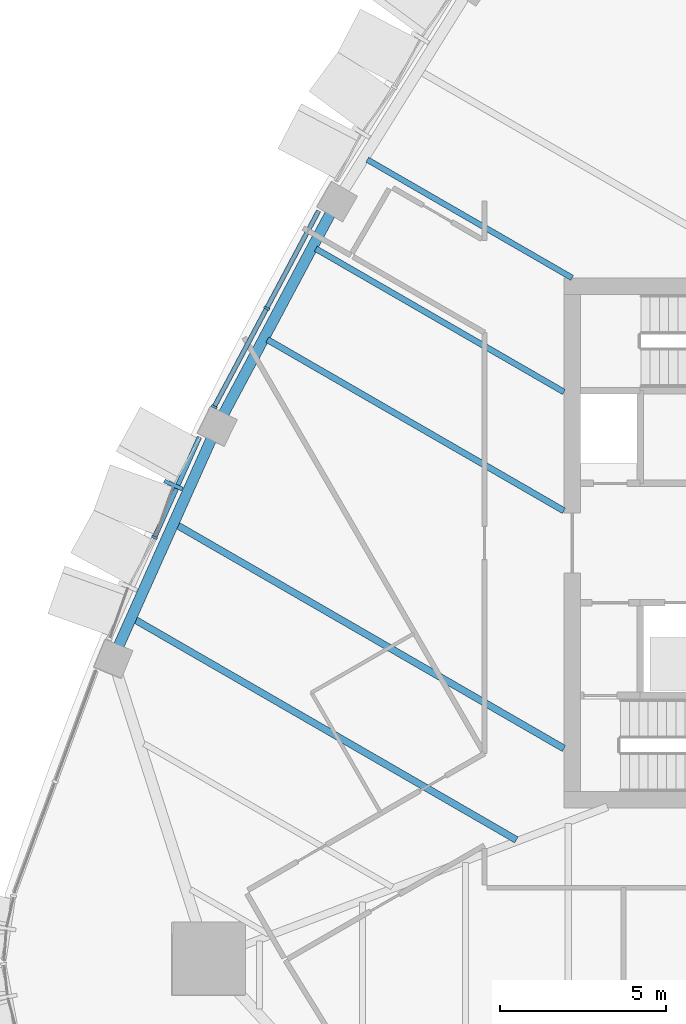
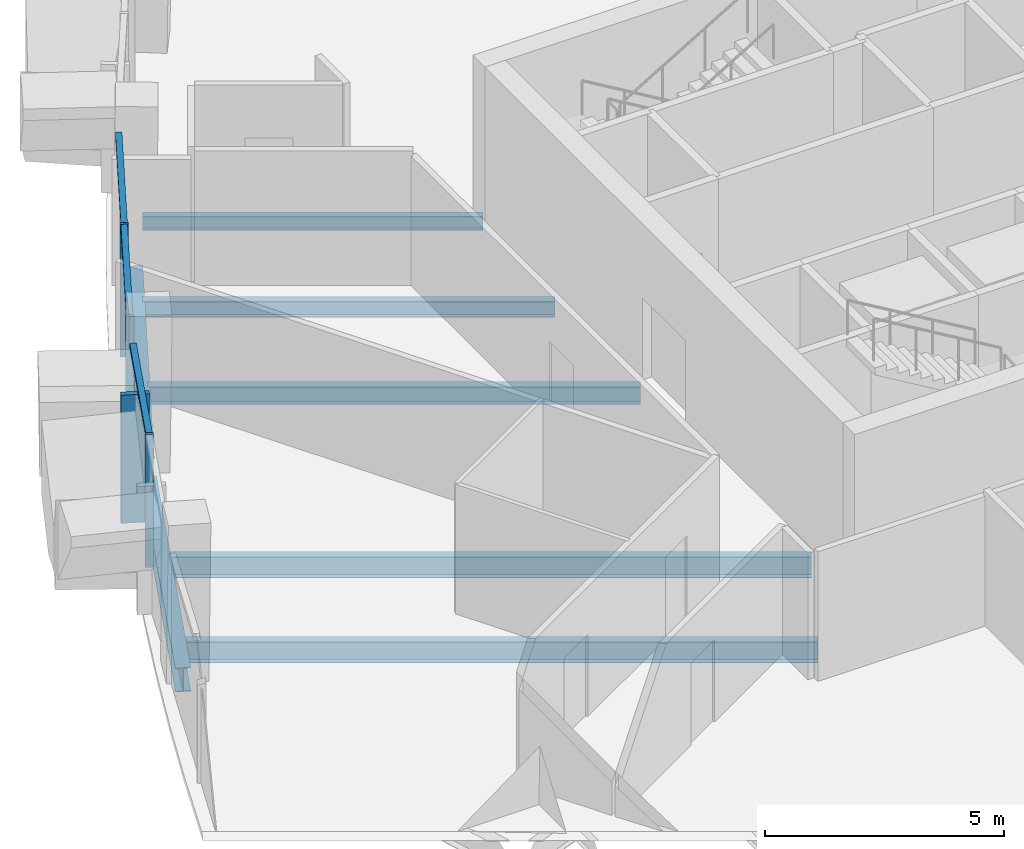
# One storey, part 3 of 18: 7 beams, 7 members, 2 elements without a shape of their own.
"""IFC4 building model written with IfcOpenShell, lengths in metres."""

import ifcopenshell
import ifcopenshell.guid

model = None  # the IFC model being written
_history = None  # IfcOwnerHistory: only IFC2X3 demands one
_inside = {}  # id of a spatial element -> (the spatial element, [elements in it])
_under = {}  # id of a project, library or spatial element -> (it, [spatial elements below it])
_declared = {}  # id of a project -> (the project, [libraries it declares])
_typed = {}  # id of a type object -> (the type object, [elements of that type])
_made_of = {}  # id of a material, layer set ... -> (it, [elements and type objects made of it])


def new_model(schema):
    """Start an empty IFC model of exactly this schema.

    Asked for "IFC4X3", IfcOpenShell would pick the latest addendum, in which some entities
    have other attributes; the version numbers below select the first issue.
    IFC2X3 requires an IfcOwnerHistory on every rooted entity: one is made here for all.
    """
    global model, _history
    if schema == "IFC4X3":
        model = ifcopenshell.file(schema_version=(4, 3, 0, 0))
    else:
        model = ifcopenshell.file(schema=schema)
    _inside.clear()
    _under.clear()
    _declared.clear()
    _typed.clear()
    _made_of.clear()
    _history = None
    if model.schema == "IFC2X3":
        org = make("IfcOrganization", Name="unknown")
        user = make(
            "IfcPersonAndOrganization",
            ThePerson=make("IfcPerson", FamilyName="unknown"),
            TheOrganization=org,
        )
        app = make(
            "IfcApplication",
            ApplicationDeveloper=org,
            Version="unknown",
            ApplicationFullName="unknown",
            ApplicationIdentifier="unknown",
        )
        _history = make(
            "IfcOwnerHistory",
            OwningUser=user,
            OwningApplication=app,
            ChangeAction="ADDED",
            CreationDate=0,
        )
    return model


def make(cls, **values):
    """One entity of the class cls with the attributes given. An attribute that is None is left unset."""
    return model.create_entity(
        cls, **{name: value for name, value in values.items() if value is not None}
    )


def rooted(cls, **values):
    """An entity with a GlobalId (a new one), such as an element, a storey or a relation."""
    return make(cls, GlobalId=ifcopenshell.guid.new(), OwnerHistory=_history, **values)


def si_unit(unit_type, name, prefix=None):
    """IfcSIUnit, for example si_unit("LENGTHUNIT", "METRE", prefix="MILLI")."""
    return make("IfcSIUnit", UnitType=unit_type, Prefix=prefix, Name=name)


def assignment(units):
    """IfcUnitAssignment: the units of a project."""
    return None if units is None else make("IfcUnitAssignment", Units=units)


def point(xyz):
    """IfcCartesianPoint."""
    return None if xyz is None else make("IfcCartesianPoint", Coordinates=xyz)


def direction(xyz):
    """IfcDirection."""
    return None if xyz is None else make("IfcDirection", DirectionRatios=xyz)


def frame(location, z_axis=None, x_axis=None):
    """IfcAxis2Placement3D, a coordinate frame: its origin and axes. An axis left out is left unset."""
    return make(
        "IfcAxis2Placement3D",
        Location=point(location),
        Axis=direction(z_axis),
        RefDirection=direction(x_axis),
    )


def frame_2d(location, x_axis=None):
    """IfcAxis2Placement2D, a coordinate frame in the plane: its origin and x axis."""
    return make(
        "IfcAxis2Placement2D", Location=point(location), RefDirection=direction(x_axis)
    )


def origin():
    """The frame at (0, 0, 0) with its axes left unset."""
    return frame((0.0, 0.0, 0.0))


def origin_2d():
    """The frame at (0, 0) in the plane with its x axis left unset."""
    return frame_2d((0.0, 0.0))


def place(relative_to, where):
    """IfcLocalPlacement: puts the frame where relative to a parent placement (None: the world)."""
    return make(
        "IfcLocalPlacement", PlacementRelTo=relative_to, RelativePlacement=where
    )


def context(
    kind, dimensions, precision=None, world=None, true_north=None, identifier=None
):
    """IfcGeometricRepresentationContext, for example the 3D "Model" context."""
    return make(
        "IfcGeometricRepresentationContext",
        ContextIdentifier=identifier,
        ContextType=kind,
        CoordinateSpaceDimension=dimensions,
        Precision=precision,
        WorldCoordinateSystem=world,
        TrueNorth=true_north,
    )


def subcontext(parent, identifier, kind, view, scale=None):
    """IfcGeometricRepresentationSubContext, for example "Body" below "Model"."""
    return make(
        "IfcGeometricRepresentationSubContext",
        ContextIdentifier=identifier,
        ContextType=kind,
        ParentContext=parent,
        TargetScale=scale,
        TargetView=view,
    )


def project(units=None, contexts=None):
    """IfcProject with its units and contexts."""
    return rooted(
        "IfcProject",
        Name="project",
        RepresentationContexts=contexts,
        UnitsInContext=assignment(units),
    )


def spatial(cls, under=None, at=None, **own):
    """A site, building, storey or space (cls), placed at a placement, below another one or the project."""
    s = rooted(cls, ObjectPlacement=at, **own)
    if under is not None:
        _under.setdefault(under.id(), (under, []))[1].append(s)
    return s


def profile(cls, at=None, kind="AREA", **sizes):
    """A parametric profile (cls). Its sizes go by their IFC names, for example OverallWidth=200.0."""
    return make(cls, ProfileType=kind, Position=at, **sizes)


def rectangle(**sizes):
    """IfcRectangleProfileDef."""
    return profile("IfcRectangleProfileDef", **sizes)


def i_section(**sizes):
    """IfcIShapeProfileDef."""
    return profile("IfcIShapeProfileDef", **sizes)


def extrude(swept, where, along, depth):
    """IfcExtrudedAreaSolid: the profile swept, set in the frame where, extruded along a direction by depth."""
    return make(
        "IfcExtrudedAreaSolid",
        SweptArea=swept,
        Position=where,
        ExtrudedDirection=direction(along),
        Depth=depth,
    )


def shape(context_of_items, identifier, shape_type, items):
    """IfcShapeRepresentation: the items that make up one representation, for example the "Body"."""
    return make(
        "IfcShapeRepresentation",
        ContextOfItems=context_of_items,
        RepresentationIdentifier=identifier,
        RepresentationType=shape_type,
        Items=items,
    )


def material(Name=None, Category=None):
    """IfcMaterial."""
    return make("IfcMaterial", Name=Name, Category=Category)


def layer(
    of_material, thickness, ventilated=None, Name=None, Category=None, Priority=None
):
    """IfcMaterialLayer: one layer of a wall or slab, of a material (None: an air gap)."""
    return make(
        "IfcMaterialLayer",
        Material=of_material,
        LayerThickness=thickness,
        IsVentilated=ventilated,
        Name=Name,
        Category=Category,
        Priority=Priority,
    )


def layer_set(layers, Name=None):
    """IfcMaterialLayerSet."""
    return make("IfcMaterialLayerSet", MaterialLayers=layers, LayerSetName=Name)


def material_profile(
    of_material, cross_section, Name=None, Category=None, Priority=None
):
    """IfcMaterialProfile: a cross section and its material."""
    return make(
        "IfcMaterialProfile",
        Name=Name,
        Material=of_material,
        Profile=cross_section,
        Priority=Priority,
        Category=Category,
    )


def profile_set(profiles, Name=None, composite=None):
    """IfcMaterialProfileSet."""
    return make(
        "IfcMaterialProfileSet",
        Name=Name,
        MaterialProfiles=profiles,
        CompositeProfile=composite,
    )


def made_of(thing, what):
    """Note that an element or type object is made of a material, layer set ...; save() writes the relation."""
    if what is not None:
        _made_of.setdefault(what.id(), (what, []))[1].append(thing)
    return thing


def type_object(cls, material=None, **own):
    """A type object (cls), such as IfcWallType, which elements share."""
    return made_of(rooted(cls, **own), material)


def element(
    cls,
    number,
    at=None,
    inside=None,
    cuts=None,
    type_object=None,
    material=None,
    context=None,
    identifier="Body",
    shape_type=None,
    held_by="IfcProductDefinitionShape",
    body=None,
    shapes=None,
    **own,
):
    """One element of the class cls, such as IfcWall. Its Tag is "e" and its number.

    at: its placement. inside: the storey or other place that contains it. cuts: it is an
    opening in that element (IfcRelVoidsElement). A single representation is given by context,
    identifier, shape_type and body (its items); several are given by shapes. held_by: the class
    of the entity that holds the representations. save() writes the other relations.
    """
    e = rooted(cls, Tag="e%d" % number, ObjectPlacement=at, **own)
    if body is not None:
        shapes = [shape(context, identifier, shape_type, body)]
    if shapes is not None:
        e.Representation = make(held_by, Representations=shapes)
    if inside is not None:
        _inside.setdefault(inside.id(), (inside, []))[1].append(e)
    if cuts is not None:
        rooted(
            "IfcRelVoidsElement", RelatingBuildingElement=cuts, RelatedOpeningElement=e
        )
    if type_object is not None:
        _typed.setdefault(type_object.id(), (type_object, []))[1].append(e)
    return made_of(e, material)


def aggregate(whole, parts):
    """IfcRelAggregates: a whole, such as a stair, and the parts it consists of."""
    return rooted("IfcRelAggregates", RelatingObject=whole, RelatedObjects=parts)


def save(model, path):
    """Write the relations noted so far, then the file.

    IfcRelAggregates (storeys below a building ...), IfcRelContainedInSpatialStructure (elements
    in a storey), IfcRelDefinesByType, IfcRelAssociatesMaterial and IfcRelDeclares: one each for
    every whole, place, type object, material and project.
    """
    for whole, parts in _under.values():
        aggregate(whole, parts)
    for where, things in _inside.values():
        rooted(
            "IfcRelContainedInSpatialStructure",
            RelatedElements=things,
            RelatingStructure=where,
        )
    for kind, things in _typed.values():
        rooted("IfcRelDefinesByType", RelatedObjects=things, RelatingType=kind)
    for what, things in _made_of.values():
        rooted("IfcRelAssociatesMaterial", RelatedObjects=things, RelatingMaterial=what)
    for by, libraries in _declared.values():
        rooted("IfcRelDeclares", RelatingContext=by, RelatedDefinitions=libraries)
    model.write(path)


model = new_model("IFC4")

# Units and contexts
model_context = context("Model", 3, precision=1e-05, world=origin(), true_north=direction((0.0, 1.0)))
body_context = subcontext(model_context, "Body", "Model", "MODEL_VIEW")
ifc_project = project(units=[si_unit("LENGTHUNIT", "METRE"), si_unit("AREAUNIT", "SQUARE_METRE"), si_unit("VOLUMEUNIT", "CUBIC_METRE"), si_unit("PLANEANGLEUNIT", "RADIAN"), si_unit("MASSUNIT", "GRAM", prefix="KILO")], contexts=[model_context])

# Site, building, storey
site_placement = place(None, origin())
site = spatial("IfcSite", under=ifc_project, at=site_placement, CompositionType="ELEMENT")
building_placement = place(site_placement, origin())
building = spatial("IfcBuilding", under=site, at=building_placement, Name="Sierra Prisma Convention Tower", CompositionType="ELEMENT")
storey_placement = place(building_placement, frame((0.0, 0.0, 251.0)))
storey = spatial("IfcBuildingStorey", under=building, at=storey_placement, Name="L56", CompositionType="ELEMENT", Elevation=251.0)

# Curtain wall, member
ifc_material_1 = material(Name="Aluminium and glass curtain wall", Category="aluminium")
ifc_layer_1 = layer(ifc_material_1, 0.179931640625)
ifc_layer_set_1 = layer_set([ifc_layer_1], Name="CW-2 Faceted crystal curtain wall")
curtain_wall_type_1 = type_object("IfcCurtainWallType", Name="CW-2 Faceted crystal curtain wall", PredefinedType="NOTDEFINED", material=ifc_layer_set_1)
curtain_wall_1_placement = place(storey_placement, origin())
curtain_wall_1 = element("IfcCurtainWall", 1, at=curtain_wall_1_placement, inside=storey, type_object=curtain_wall_type_1, Name="CW-2 NW5 L56", PredefinedType="NOTDEFINED")
ifc_material_2 = material(Name="Aluminium 6063-T6 bronze anodised", Category="aluminium")
ifc_material_profile_1 = material_profile(ifc_material_2, rectangle(XDim=0.1201171875, YDim=0.60009765625, at=origin_2d()), Name="ALU RIDGE BLADE 120x600")
ifc_profile_set_1 = profile_set([ifc_material_profile_1], Name="Aluminium 6063-T6 bronze anodised")
member_type_1 = type_object("IfcMemberType", Name="CW hip bronze", PredefinedType="MULLION", material=ifc_profile_set_1)
member_1_placement = place(storey_placement, frame((-22.784423828125, 1.751953125, 0.0), z_axis=(0.0, 0.0, 1.0), x_axis=(-0.408698402127, -0.912669499928, 0.0)))
member_1 = element("IfcMember", 2, at=member_1_placement, type_object=member_type_1, Name="CW-2 ridge NW5.1", PredefinedType="MULLION", context=body_context, shape_type="SweptSolid", body=[
    extrude(rectangle(XDim=0.1201171875, YDim=0.60009765625, at=origin_2d()), origin(), (0.0, 0.0, 1.0), 3.280029296875),
])

# Curtain wall, members
ifc_material_3 = material(Name="Aluminium and glass curtain wall", Category="aluminium")
ifc_layer_2 = layer(ifc_material_3, 0.179931640625)
ifc_layer_set_2 = layer_set([ifc_layer_2], Name="CW-1 Plain shaft curtain wall")
curtain_wall_type_2 = type_object("IfcCurtainWallType", Name="CW-1 Plain shaft curtain wall", PredefinedType="NOTDEFINED", material=ifc_layer_set_2)
curtain_wall_2_placement = place(storey_placement, origin())
curtain_wall_2 = element("IfcCurtainWall", 3, at=curtain_wall_2_placement, inside=storey, type_object=curtain_wall_type_2, Name="CW-1 NW4 L56", PredefinedType="NOTDEFINED")
ifc_material_4 = material(Name="Aluminium 6063-T6 bronze anodised", Category="aluminium")
ifc_material_profile_2 = material_profile(ifc_material_4, rectangle(XDim=0.179931640625, YDim=0.070068359375, at=origin_2d()), Name="ALU MULLION 70x180")
ifc_profile_set_2 = profile_set([ifc_material_profile_2], Name="Aluminium 6063-T6 bronze anodised")
member_type_2 = type_object("IfcMemberType", Name="CW mullion bronze", PredefinedType="MULLION", material=ifc_profile_set_2)
member_2_placement = place(storey_placement, frame((-19.966552734375, 7.08203125, 0.0), z_axis=(0.0, 0.0, 1.0), x_axis=(0.882611155693, -0.470103762851, 0.0)))
member_2 = element("IfcMember", 4, at=member_2_placement, type_object=member_type_2, Name="CW-1 mullion NW4.2", PredefinedType="MULLION", context=body_context, shape_type="SweptSolid", body=[
    extrude(rectangle(XDim=0.179931640625, YDim=0.070068359375, at=origin_2d()), origin(), (0.0, 0.0, 1.0), 3.39990234375),
])
member_3_placement = place(storey_placement, frame((-21.549560546875, 4.10986328125, 0.0), z_axis=(0.0, 0.0, 1.0), x_axis=(0.882611155693, -0.470103762851, 0.0)))
member_3 = element("IfcMember", 5, at=member_3_placement, type_object=member_type_2, Name="CW-1 mullion NW4.3", PredefinedType="MULLION", context=body_context, shape_type="SweptSolid", body=[
    extrude(rectangle(XDim=0.179931640625, YDim=0.070068359375, at=origin_2d()), origin(), (0.0, 0.0, 1.0), 3.39990234375),
])

# Member
member_4_placement = place(storey_placement, frame((-23.351318359375, 0.169677734375, 0.0), z_axis=(0.0, 0.0, 1.0), x_axis=(0.912669499928, -0.408698402127, 0.0)))
member_4 = element("IfcMember", 6, at=member_4_placement, type_object=member_type_2, Name="CW-1 mullion NW5.2", PredefinedType="MULLION", context=body_context, shape_type="SweptSolid", body=[
    extrude(rectangle(XDim=0.179931640625, YDim=0.070068359375, at=origin_2d()), origin(), (0.0, 0.0, 1.0), 3.39990234375),
])

ifc_material_5 = material(Name="Aluminium 6063-T6 bronze anodised", Category="aluminium")
ifc_material_profile_3 = material_profile(ifc_material_5, rectangle(XDim=0.139892578125, YDim=0.1201171875, at=origin_2d()), Name="ALU TRANSOM 120x140")
ifc_profile_set_3 = profile_set([ifc_material_profile_3], Name="Aluminium 6063-T6 bronze anodised")
member_type_3 = type_object("IfcMemberType", Name="CW transom bronze", PredefinedType="USERDEFINED", material=ifc_profile_set_3)
member_5_placement = place(storey_placement, frame((-18.400146484375, 10.023193359375, 3.340087890625), z_axis=(-0.470077052932, -0.882625381635, 0.0), x_axis=(0.882625381635, -0.470077052932, 0.0)))
member_5 = element("IfcMember", 7, at=member_5_placement, type_object=member_type_3, Name="CW-1 transom NW4.1", ObjectType="TRANSOM", PredefinedType="USERDEFINED", context=body_context, shape_type="SweptSolid", body=[
    extrude(rectangle(XDim=0.139892578125, YDim=0.1201171875, at=origin_2d()), origin(), (0.0, 0.0, 1.0), 3.29736328125),
])

member_6_placement = place(storey_placement, frame((-19.983154296875, 7.051025390625, 3.340087890625), z_axis=(-0.470107773804, -0.882609019333, 0.0), x_axis=(0.882609019333, -0.470107773804, 0.0)))
member_6 = element("IfcMember", 8, at=member_6_placement, type_object=member_type_3, Name="CW-1 transom NW4.2", ObjectType="TRANSOM", PredefinedType="USERDEFINED", context=body_context, shape_type="SweptSolid", body=[
    extrude(rectangle(XDim=0.139892578125, YDim=0.1201171875, at=origin_2d()), origin(), (0.0, 0.0, 1.0), 3.297119140625),
])

aggregate(curtain_wall_2, [member_2, member_3, member_5, member_6])

member_7_placement = place(storey_placement, frame((-21.995849609375, 3.196533203125, 3.340087890625), z_axis=(-0.408684160297, -0.912675877364, 0.0), x_axis=(0.912675877364, -0.408684160297, 0.0)))
member_7 = element("IfcMember", 9, at=member_7_placement, type_object=member_type_3, Name="CW-1 transom NW5.1", ObjectType="TRANSOM", PredefinedType="USERDEFINED", context=body_context, shape_type="SweptSolid", body=[
    extrude(rectangle(XDim=0.139892578125, YDim=0.1201171875, at=origin_2d()), origin(), (0.0, 0.0, 1.0), 3.281494140625),
])

aggregate(curtain_wall_1, [member_4, member_7, member_1])

# Beams
ifc_material_6 = material(Name="Steel ASTM A992 Gr 50", Category="steel")
ifc_material_profile_4 = material_profile(ifc_material_6, i_section(OverallWidth=0.172119140625, OverallDepth=0.35791015625, WebThickness=0.0078125, FlangeThickness=0.01318359375, at=origin_2d()), Name="W360x57")
ifc_profile_set_4 = profile_set([ifc_material_profile_4], Name="Steel ASTM A992 Gr 50")
beam_type_1 = type_object("IfcBeamType", Name="Floor joist W360x57", PredefinedType="JOIST", material=ifc_profile_set_4)
beam_1_placement = place(storey_placement, frame((-16.932861328125, 11.56884765625, -0.3291015625), z_axis=(0.86602438872, -0.500001758139, 0.0), x_axis=(0.500001758139, 0.86602438872, 0.0)))
element("IfcBeam", 10, at=beam_1_placement, inside=storey, type_object=beam_type_1, Name="Floor joist L56 NW07", PredefinedType="JOIST", context=body_context, shape_type="SweptSolid", body=[
    extrude(i_section(OverallWidth=0.172119140625, OverallDepth=0.35791015625, WebThickness=0.0078125, FlangeThickness=0.01318359375, at=origin_2d()), origin(), (0.0, 0.0, 1.0), 7.1376953125),
])
ifc_material_7 = material(Name="Steel ASTM A992 Gr 50", Category="steel")
ifc_material_profile_5 = material_profile(ifc_material_7, i_section(OverallWidth=0.177978515625, OverallDepth=0.406982421875, WebThickness=0.0078125, FlangeThickness=0.0126953125, at=origin_2d()), Name="W410x60")
ifc_profile_set_5 = profile_set([ifc_material_profile_5], Name="Steel ASTM A992 Gr 50")
beam_type_2 = type_object("IfcBeamType", Name="Floor joist W410x60", PredefinedType="JOIST", material=ifc_profile_set_5)
beam_2_placement = place(storey_placement, frame((-18.485107421875, 8.8798828125, -0.353515625), z_axis=(0.866012951027, -0.500021568188, 0.0), x_axis=(0.500021568188, 0.866012951027, 0.0)))
element("IfcBeam", 11, at=beam_2_placement, inside=storey, type_object=beam_type_2, Name="Floor joist L56 NW08", PredefinedType="JOIST", context=body_context, shape_type="SweptSolid", body=[
    extrude(i_section(OverallWidth=0.177978515625, OverallDepth=0.406982421875, WebThickness=0.0078125, FlangeThickness=0.0126953125, at=origin_2d()), origin(), (0.0, 0.0, 1.0), 8.64306640625),
])
ifc_material_8 = material(Name="Steel ASTM A992 Gr 50", Category="steel")
ifc_material_profile_6 = material_profile(ifc_material_8, i_section(OverallWidth=0.18994140625, OverallDepth=0.45703125, WebThickness=0.009033203125, FlangeThickness=0.014404296875, at=origin_2d()), Name="W460x74")
ifc_profile_set_6 = profile_set([ifc_material_profile_6], Name="Steel ASTM A992 Gr 50")
beam_type_3 = type_object("IfcBeamType", Name="Floor joist W460x74", PredefinedType="JOIST", material=ifc_profile_set_6)
beam_3_placement = place(storey_placement, frame((-19.94580078125, 6.1376953125, -0.37841796875), z_axis=(0.866028152303, -0.499995239396, 0.0), x_axis=(0.499995239396, 0.866028152303, 0.0)))
element("IfcBeam", 12, at=beam_3_placement, inside=storey, type_object=beam_type_3, Name="Floor joist L56 NW09", PredefinedType="JOIST", context=body_context, shape_type="SweptSolid", body=[
    extrude(i_section(OverallWidth=0.18994140625, OverallDepth=0.45703125, WebThickness=0.009033203125, FlangeThickness=0.014404296875, at=origin_2d()), origin(), (0.0, 0.0, 1.0), 10.32958984375),
])
ifc_material_9 = material(Name="Steel ASTM A992 Gr 50", Category="steel")
ifc_material_profile_7 = material_profile(ifc_material_9, i_section(OverallWidth=0.208984375, OverallDepth=0.532958984375, WebThickness=0.01025390625, FlangeThickness=0.015625, at=origin_2d()), Name="W530x92")
ifc_profile_set_7 = profile_set([ifc_material_profile_7], Name="Steel ASTM A992 Gr 50")
beam_type_4 = type_object("IfcBeamType", Name="Floor joist W530x92", PredefinedType="JOIST", material=ifc_profile_set_7)
beam_4_placement = place(storey_placement, frame((-22.6767578125, 0.5439453125, -0.41650390625), z_axis=(0.866021551494, -0.500006672304, 0.0), x_axis=(0.500006672304, 0.866021551494, 0.0)))
element("IfcBeam", 13, at=beam_4_placement, inside=storey, type_object=beam_type_4, Name="Floor joist L56 NW11", PredefinedType="JOIST", context=body_context, shape_type="SweptSolid", body=[
    extrude(i_section(OverallWidth=0.208984375, OverallDepth=0.532958984375, WebThickness=0.01025390625, FlangeThickness=0.015625, at=origin_2d()), origin(), (0.0, 0.0, 1.0), 13.483154296875),
])
beam_5_placement = place(storey_placement, frame((-23.95263671875, -2.3046875, -0.41650390625), z_axis=(0.866023880463, -0.500002638461, 0.0), x_axis=(0.500002638461, 0.866023880463, 0.0)))
element("IfcBeam", 14, at=beam_5_placement, inside=storey, type_object=beam_type_4, Name="Floor joist L56 NW12", PredefinedType="JOIST", context=body_context, shape_type="SweptSolid", body=[
    extrude(i_section(OverallWidth=0.208984375, OverallDepth=0.532958984375, WebThickness=0.01025390625, FlangeThickness=0.015625, at=origin_2d()), origin(), (0.0, 0.0, 1.0), 13.30029296875),
])
ifc_material_10 = material(Name="Steel ASTM A992 Gr 50", Category="steel")
ifc_material_profile_8 = material_profile(ifc_material_10, i_section(OverallWidth=0.324951171875, OverallDepth=0.615966796875, WebThickness=0.013916015625, FlangeThickness=0.021484375, at=origin_2d()), Name="W610x174")
ifc_profile_set_8 = profile_set([ifc_material_profile_8], Name="Steel ASTM A992 Gr 50")
beam_type_5 = type_object("IfcBeamType", Name="Spandrel beam W610x174", PredefinedType="BEAM", material=ifc_profile_set_8)
for number, where, z_axis, x_axis, name in (
    (15, (-18.0078125, 10.015625, -0.4580078125), (-0.47008904276, -0.882618995874, 0.0), (0.882618995874, -0.47008904276, 0.0), "Spandrel L56-16"),
    (16, (-21.60400390625, 3.2158203125, -0.4580078125), (-0.408675093937, -0.912679937106, 0.0), (0.912679937106, -0.408675093937, 0.0), "Spandrel L56-17"),
):
    element("IfcBeam", number, at=place(storey_placement, frame(where, z_axis=z_axis, x_axis=x_axis)), inside=storey, type_object=beam_type_5, Name=name, PredefinedType="BEAM", context=body_context, shape_type="SweptSolid", body=[
        extrude(i_section(OverallWidth=0.324951171875, OverallDepth=0.615966796875, WebThickness=0.013916015625, FlangeThickness=0.021484375, at=origin_2d()), origin(), (0.0, 0.0, 1.0), 7.032470703125),
    ])

save(model, "model.ifc")
